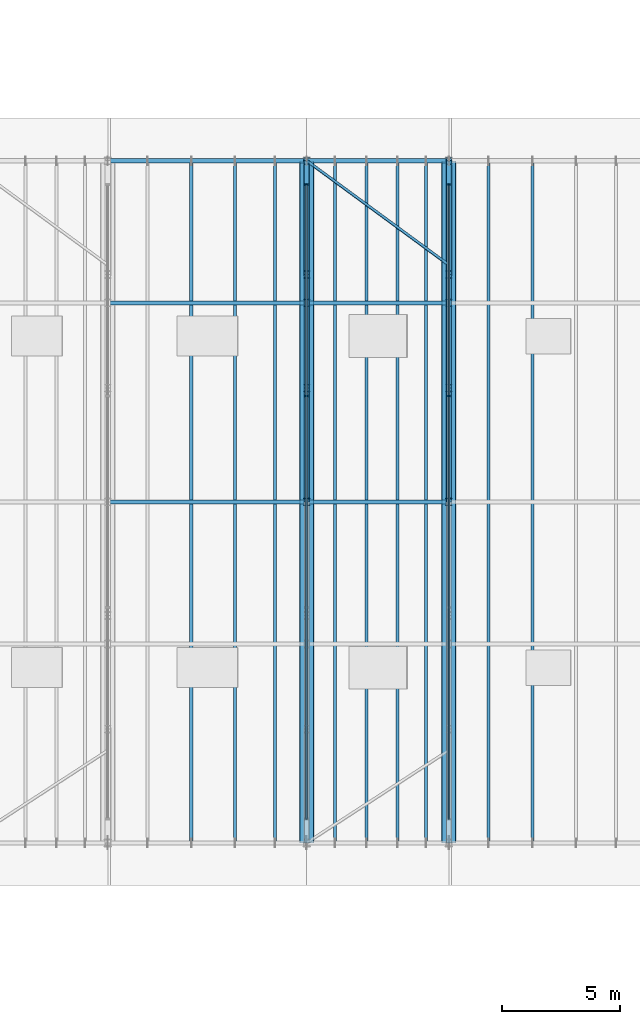
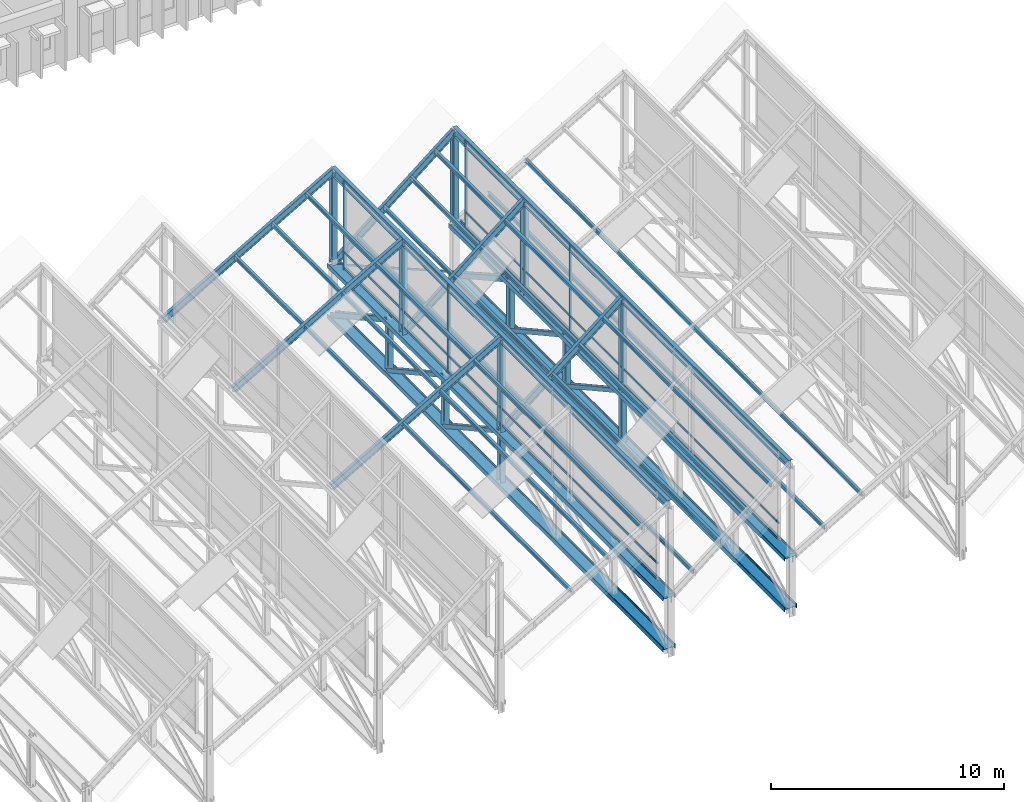
# One storey, part 25 of 101: 42 members, 8 beams, 2 elements without a shape of their own.
"""IFC4 building model written with IfcOpenShell, lengths in metres."""

from ifc_helpers import new_model, si_unit, direction, frame, origin, origin_2d, place, context, subcontext, project, spatial, rectangle, i_section, l_section, extrude, material, material_profile, profile_set, type_object, element, aggregate, save


model = new_model("IFC4")

# Units and contexts
model_context = context("Model", 3, precision=1e-05, world=origin(), true_north=direction((0.0, 1.0)))
body_context = subcontext(model_context, "Body", "Model", "MODEL_VIEW")
ifc_project = project(units=[si_unit("LENGTHUNIT", "METRE"), si_unit("AREAUNIT", "SQUARE_METRE"), si_unit("VOLUMEUNIT", "CUBIC_METRE"), si_unit("PLANEANGLEUNIT", "RADIAN"), si_unit("MASSUNIT", "GRAM", prefix="KILO"), si_unit("THERMODYNAMICTEMPERATUREUNIT", "KELVIN")], contexts=[model_context])

# Site, building, storey
site_placement = place(None, origin())
site = spatial("IfcSite", under=ifc_project, at=site_placement, CompositionType="ELEMENT")
building_placement = place(site_placement, origin())
building = spatial("IfcBuilding", under=site, at=building_placement, Name="Thalorik Housing Commons", CompositionType="ELEMENT")
storey_placement = place(building_placement, frame((0.0, 0.0, 8.10009765625)))
storey = spatial("IfcBuildingStorey", under=building, at=storey_placement, Name="L02", CompositionType="ELEMENT", Elevation=8.10009765625)

# Curtain wall, members
ifc_material_1 = material(Name="Anodised aluminium and solar-control low-E glass", Category="aluminium")
curtain_wall_type = type_object("IfcCurtainWallType", Name="ARC-CW-CLER", PredefinedType="USERDEFINED", material=ifc_material_1)
curtain_wall_1_placement = place(storey_placement, origin())
curtain_wall_1 = element("IfcCurtainWall", 1, at=curtain_wall_1_placement, inside=storey, type_object=curtain_wall_type, Name="L02 Curtain Wall CW-SAW-CLER-05", ObjectType="CURTAIN WALL", PredefinedType="USERDEFINED")
ifc_material_2 = material(Name="Anodised aluminium 6063-T6", Category="aluminium")
ifc_material_profile_1 = material_profile(ifc_material_2, rectangle(XDim=0.054931640625, YDim=0.139892578125, at=origin_2d()), Name="ALU MUL 55x140", Category="aluminium")
ifc_profile_set_1 = profile_set([ifc_material_profile_1], Name="Anodised aluminium 6063-T6")
member_type_1 = type_object("IfcMemberType", Name="ARC-CW-MUL-55x140", PredefinedType="MULLION", material=ifc_profile_set_1)
member_1_placement = place(storey_placement, frame((100.800048828125, 76.466796875, 3.2998046875), z_axis=(0.0, 0.0, 1.0), x_axis=(0.0, 1.0, 0.0)))
member_1 = element("IfcMember", 2, at=member_1_placement, type_object=member_type_1, Name="CW-SAW-CLER-05 Mullion 3", PredefinedType="MULLION", context=body_context, shape_type="SweptSolid", body=[
    extrude(rectangle(XDim=0.054931640625, YDim=0.139892578125, at=origin_2d()), origin(), (0.0, 0.0, 1.0), 4.650146484375),
])
member_2_placement = place(storey_placement, frame((100.800048828125, 85.39990234375, 3.2998046875), z_axis=(0.0, 0.0, 1.0), x_axis=(0.0, 1.0, 0.0)))
member_2 = element("IfcMember", 3, at=member_2_placement, type_object=member_type_1, Name="CW-SAW-CLER-05 Mullion 4", PredefinedType="MULLION", context=body_context, shape_type="SweptSolid", body=[
    extrude(rectangle(XDim=0.054931640625, YDim=0.139892578125, at=origin_2d()), origin(), (0.0, 0.0, 1.0), 4.650146484375),
])

curtain_wall_2_placement = place(storey_placement, origin())
curtain_wall_2 = element("IfcCurtainWall", 4, at=curtain_wall_2_placement, inside=storey, type_object=curtain_wall_type, Name="L02 Curtain Wall CW-SAW-CLER-04", ObjectType="CURTAIN WALL", PredefinedType="USERDEFINED")
ifc_material_profile_2 = material_profile(ifc_material_2, rectangle(XDim=0.06005859375, YDim=0.159912109375, at=origin_2d()), Name="ALU MUL 60x160", Category="aluminium")
ifc_profile_set_2 = profile_set([ifc_material_profile_2], Name="Anodised aluminium 6063-T6")
member_type_2 = type_object("IfcMemberType", Name="ARC-CW-MUL-60x160", PredefinedType="MULLION", material=ifc_profile_set_2)
member_3_placement = place(storey_placement, frame((94.800048828125, 76.466796875, 3.2998046875), z_axis=(0.0, 0.0, 1.0), x_axis=(0.0, 1.0, 0.0)))
member_3 = element("IfcMember", 5, at=member_3_placement, type_object=member_type_2, Name="CW-SAW-CLER-04 Mullion 3", PredefinedType="MULLION", context=body_context, shape_type="SweptSolid", body=[
    extrude(rectangle(XDim=0.06005859375, YDim=0.159912109375, at=origin_2d()), origin(), (0.0, 0.0, 1.0), 4.650146484375),
])
member_4_placement = place(storey_placement, frame((94.800048828125, 85.39990234375, 3.2998046875), z_axis=(0.0, 0.0, 1.0), x_axis=(0.0, 1.0, 0.0)))
member_4 = element("IfcMember", 6, at=member_4_placement, type_object=member_type_2, Name="CW-SAW-CLER-04 Mullion 4", PredefinedType="MULLION", context=body_context, shape_type="SweptSolid", body=[
    extrude(rectangle(XDim=0.06005859375, YDim=0.159912109375, at=origin_2d()), origin(), (0.0, 0.0, 1.0), 4.650146484375),
])

# Member
ifc_material_profile_3 = material_profile(ifc_material_2, rectangle(XDim=0.054931640625, YDim=0.10498046875, at=origin_2d()), Name="ALU TRN 55x105", Category="aluminium")
ifc_profile_set_3 = profile_set([ifc_material_profile_3], Name="Anodised aluminium 6063-T6")
member_type_3 = type_object("IfcMemberType", Name="ARC-CW-TRN-55x105", PredefinedType="USERDEFINED", material=ifc_profile_set_3)
member_5_placement = place(storey_placement, frame((100.800048828125, 58.60009765625, 3.35498046875), z_axis=(0.0, 1.0, 0.0), x_axis=(-1.0, 0.0, 0.0)))
member_5 = element("IfcMember", 7, at=member_5_placement, type_object=member_type_3, Name="CW-SAW-CLER-05 Transom 1", ObjectType="TRANSOM", PredefinedType="USERDEFINED", context=body_context, shape_type="SweptSolid", body=[
    extrude(rectangle(XDim=0.054931640625, YDim=0.10498046875, at=origin_2d()), origin(), (0.0, 0.0, 1.0), 26.7998046875),
])

member_6_placement = place(storey_placement, frame((100.800048828125, 58.60009765625, 4.179931640625), z_axis=(0.0, 1.0, 0.0), x_axis=(-1.0, 0.0, 0.0)))
member_6 = element("IfcMember", 8, at=member_6_placement, type_object=member_type_3, Name="CW-SAW-CLER-05 Transom 2", ObjectType="TRANSOM", PredefinedType="USERDEFINED", context=body_context, shape_type="SweptSolid", body=[
    extrude(rectangle(XDim=0.054931640625, YDim=0.10498046875, at=origin_2d()), origin(), (0.0, 0.0, 1.0), 26.7998046875),
])

member_7_placement = place(storey_placement, frame((100.800048828125, 58.60009765625, 7.89501953125), z_axis=(0.0, 1.0, 0.0), x_axis=(-1.0, 0.0, 0.0)))
member_7 = element("IfcMember", 9, at=member_7_placement, type_object=member_type_3, Name="CW-SAW-CLER-05 Transom 3", ObjectType="TRANSOM", PredefinedType="USERDEFINED", context=body_context, shape_type="SweptSolid", body=[
    extrude(rectangle(XDim=0.054931640625, YDim=0.10498046875, at=origin_2d()), origin(), (0.0, 0.0, 1.0), 26.7998046875),
])

aggregate(curtain_wall_1, [member_1, member_2, member_5, member_6, member_7])

ifc_material_profile_4 = material_profile(ifc_material_2, rectangle(XDim=0.06005859375, YDim=0.1201171875, at=origin_2d()), Name="ALU TRN 60x120", Category="aluminium")
ifc_profile_set_4 = profile_set([ifc_material_profile_4], Name="Anodised aluminium 6063-T6")
member_type_4 = type_object("IfcMemberType", Name="ARC-CW-TRN-60x120", PredefinedType="USERDEFINED", material=ifc_profile_set_4)
member_8_placement = place(storey_placement, frame((94.800048828125, 58.60009765625, 3.35498046875), z_axis=(0.0, 1.0, 0.0), x_axis=(-1.0, 0.0, 0.0)))
member_8 = element("IfcMember", 10, at=member_8_placement, type_object=member_type_4, Name="CW-SAW-CLER-04 Transom 1", ObjectType="TRANSOM", PredefinedType="USERDEFINED", context=body_context, shape_type="SweptSolid", body=[
    extrude(rectangle(XDim=0.06005859375, YDim=0.1201171875, at=origin_2d()), origin(), (0.0, 0.0, 1.0), 26.7998046875),
])

member_9_placement = place(storey_placement, frame((94.800048828125, 58.60009765625, 4.179931640625), z_axis=(0.0, 1.0, 0.0), x_axis=(-1.0, 0.0, 0.0)))
member_9 = element("IfcMember", 11, at=member_9_placement, type_object=member_type_4, Name="CW-SAW-CLER-04 Transom 2", ObjectType="TRANSOM", PredefinedType="USERDEFINED", context=body_context, shape_type="SweptSolid", body=[
    extrude(rectangle(XDim=0.06005859375, YDim=0.1201171875, at=origin_2d()), origin(), (0.0, 0.0, 1.0), 26.7998046875),
])

member_10_placement = place(storey_placement, frame((94.800048828125, 58.60009765625, 7.89501953125), z_axis=(0.0, 1.0, 0.0), x_axis=(-1.0, 0.0, 0.0)))
member_10 = element("IfcMember", 12, at=member_10_placement, type_object=member_type_4, Name="CW-SAW-CLER-04 Transom 3", ObjectType="TRANSOM", PredefinedType="USERDEFINED", context=body_context, shape_type="SweptSolid", body=[
    extrude(rectangle(XDim=0.06005859375, YDim=0.1201171875, at=origin_2d()), origin(), (0.0, 0.0, 1.0), 26.7998046875),
])

aggregate(curtain_wall_2, [member_3, member_4, member_8, member_9, member_10])

# Beams
ifc_material_3 = material(Name="Steel S355", Category="steel")
ifc_material_profile_5 = material_profile(ifc_material_3, i_section(OverallWidth=0.1708984375, OverallDepth=0.35498046875, WebThickness=0.007080078125, FlangeThickness=0.01171875, FilletRadius=0.010009765625, at=origin_2d()), Name="W360x51", Category="steel")
ifc_profile_set_5 = profile_set([ifc_material_profile_5], Name="Steel S355")
beam_type_1 = type_object("IfcBeamType", Name="STR-BM-W360x51", PredefinedType="BEAM", material=ifc_profile_set_5)
for number, where, z_axis, x_axis, name in (
    (13, (86.39990234375, 72.0, 3.0), (0.86602421266, 0.0, 0.500002063083), (0.0, 1.0, 0.0), "L02 Sawtooth Bay 4 Rafter 3"),
    (14, (86.39990234375, 80.39990234375, 3.0), (0.86602421266, 0.0, 0.500002063083), (0.0, 1.0, 0.0), "L02 Sawtooth Bay 4 Rafter 4"),
    (15, (86.39990234375, 86.39990234375, 3.0), (0.86602421266, 0.0, 0.500002063083), (0.0, 1.0, 0.0), "L02 Sawtooth Bay 4 Rafter 5"),
):
    element("IfcBeam", number, at=place(storey_placement, frame(where, z_axis=z_axis, x_axis=x_axis)), inside=storey, type_object=beam_type_1, Name=name, PredefinedType="BEAM", context=body_context, shape_type="SweptSolid", body=[
        extrude(i_section(OverallWidth=0.1708984375, OverallDepth=0.35498046875, WebThickness=0.007080078125, FlangeThickness=0.01171875, FilletRadius=0.010009765625, at=origin_2d()), origin(), (0.0, 0.0, 1.0), 9.69970703125),
    ])
for number, where, z_axis, x_axis, name in (
    (16, (94.800048828125, 72.0, 3.0), (0.777706721002, 0.0, 0.628627279163), (0.0, 1.0, 0.0), "L02 Sawtooth Bay 5 Rafter 3"),
    (17, (94.800048828125, 80.39990234375, 3.0), (0.777706721002, 0.0, 0.628627279163), (0.0, 1.0, 0.0), "L02 Sawtooth Bay 5 Rafter 4"),
    (18, (94.800048828125, 86.39990234375, 3.0), (0.777706721002, 0.0, 0.628627279163), (0.0, 1.0, 0.0), "L02 Sawtooth Bay 5 Rafter 5"),
):
    element("IfcBeam", number, at=place(storey_placement, frame(where, z_axis=z_axis, x_axis=x_axis)), inside=storey, type_object=beam_type_1, Name=name, PredefinedType="BEAM", context=body_context, shape_type="SweptSolid", body=[
        extrude(i_section(OverallWidth=0.1708984375, OverallDepth=0.35498046875, WebThickness=0.007080078125, FlangeThickness=0.01171875, FilletRadius=0.010009765625, at=origin_2d()), origin(), (0.0, 0.0, 1.0), 7.715087890625),
    ])
ifc_material_profile_6 = material_profile(ifc_material_3, i_section(OverallWidth=0.19189453125, OverallDepth=0.462890625, WebThickness=0.010498046875, FlangeThickness=0.017578125, FilletRadius=0.011962890625, at=origin_2d()), Name="W460x89", Category="steel")
ifc_profile_set_6 = profile_set([ifc_material_profile_6], Name="Steel S355")
beam_type_2 = type_object("IfcBeamType", Name="STR-BM-W460x89", PredefinedType="BEAM", material=ifc_profile_set_6)
for number, where, z_axis, x_axis, name in (
    (19, (94.800048828125, 57.60009765625, 7.849853515625), (0.0, 1.0, 0.0), (-1.0, 0.0, 0.0), "L02 Sawtooth Bay 4 Ridge Collector Beam"),
    (20, (100.800048828125, 57.60009765625, 7.849853515625), (0.0, 1.0, 0.0), (-1.0, 0.0, 0.0), "L02 Sawtooth Bay 5 Ridge Collector Beam"),
):
    element("IfcBeam", number, at=place(storey_placement, frame(where, z_axis=z_axis, x_axis=x_axis)), inside=storey, type_object=beam_type_2, Name=name, PredefinedType="BEAM", context=body_context, shape_type="SweptSolid", body=[
        extrude(i_section(OverallWidth=0.19189453125, OverallDepth=0.462890625, WebThickness=0.010498046875, FlangeThickness=0.017578125, FilletRadius=0.011962890625, at=origin_2d()), origin(), (0.0, 0.0, 1.0), 28.7998046875),
    ])

# Members
ifc_material_profile_7 = material_profile(ifc_material_3, i_section(OverallWidth=0.22998046875, OverallDepth=0.616943359375, WebThickness=0.01318359375, FlangeThickness=0.022216796875, FilletRadius=0.012939453125, at=origin_2d()), Name="W610x140", Category="steel")
ifc_profile_set_7 = profile_set([ifc_material_profile_7], Name="Steel S355")
member_type_5 = type_object("IfcMemberType", Name="STR-MEM-CHORD-BOT", PredefinedType="CHORD", material=ifc_profile_set_7)
for number, where, z_axis, x_axis, name in (
    (21, (94.800048828125, 57.60009765625, 0.349853515625), (0.0, 1.0, 0.0), (0.0, 0.0, 1.0), "L02 Sawtooth Truss 5 Bottom Chord"),
    (22, (100.800048828125, 57.60009765625, 0.349853515625), (0.0, 1.0, 0.0), (0.0, 0.0, 1.0), "L02 Sawtooth Truss 6 Bottom Chord"),
):
    element("IfcMember", number, at=place(storey_placement, frame(where, z_axis=z_axis, x_axis=x_axis)), inside=storey, type_object=member_type_5, Name=name, PredefinedType="CHORD", context=body_context, shape_type="SweptSolid", body=[
        extrude(i_section(OverallWidth=0.22998046875, OverallDepth=0.616943359375, WebThickness=0.01318359375, FlangeThickness=0.022216796875, FilletRadius=0.012939453125, at=origin_2d()), origin(), (0.0, 0.0, 1.0), 28.7998046875),
    ])
ifc_material_profile_8 = material_profile(ifc_material_3, i_section(OverallWidth=0.22802734375, OverallDepth=0.60791015625, WebThickness=0.01123046875, FlangeThickness=0.017333984375, FilletRadius=0.012939453125, at=origin_2d()), Name="W610x113", Category="steel")
ifc_profile_set_8 = profile_set([ifc_material_profile_8], Name="Steel S355")
member_type_6 = type_object("IfcMemberType", Name="STR-MEM-CHORD-TOP", PredefinedType="CHORD", material=ifc_profile_set_8)
for number, where, z_axis, x_axis, name in (
    (23, (94.800048828125, 57.60009765625, 3.0), (0.0, 1.0, 0.0), (0.0, 0.0, 1.0), "L02 Sawtooth Truss 5 Valley Chord"),
    (24, (100.800048828125, 57.60009765625, 3.0), (0.0, 1.0, 0.0), (0.0, 0.0, 1.0), "L02 Sawtooth Truss 6 Valley Chord"),
):
    element("IfcMember", number, at=place(storey_placement, frame(where, z_axis=z_axis, x_axis=x_axis)), inside=storey, type_object=member_type_6, Name=name, PredefinedType="CHORD", context=body_context, shape_type="SweptSolid", body=[
        extrude(i_section(OverallWidth=0.22802734375, OverallDepth=0.60791015625, WebThickness=0.01123046875, FlangeThickness=0.017333984375, FilletRadius=0.012939453125, at=origin_2d()), origin(), (0.0, 0.0, 1.0), 28.7998046875),
    ])
ifc_material_profile_9 = material_profile(ifc_material_3, i_section(OverallWidth=0.201904296875, OverallDepth=0.2470703125, WebThickness=0.00732421875, FlangeThickness=0.010986328125, FilletRadius=0.010009765625, at=origin_2d()), Name="W250x49", Category="steel")
ifc_profile_set_9 = profile_set([ifc_material_profile_9], Name="Steel S355")
member_type_7 = type_object("IfcMemberType", Name="STR-MEM-DIAG-250", PredefinedType="BRACE", material=ifc_profile_set_9)
for number, where, z_axis, x_axis, name in (
    (25, (94.800048828125, 72.0, 3.0), (0.0, 0.875435421067, -0.48333510481), (0.0, 0.48333510481, 0.875435421067), "L02 Sawtooth Truss 5 Web Diagonal 4"),
    (26, (94.800048828125, 76.800048828125, 3.0), (0.0, 0.875435421067, -0.48333510481), (0.0, 0.48333510481, 0.875435421067), "L02 Sawtooth Truss 5 Web Diagonal 5"),
    (27, (100.800048828125, 72.0, 3.0), (0.0, 0.875435421067, -0.48333510481), (0.0, 0.48333510481, 0.875435421067), "L02 Sawtooth Truss 6 Web Diagonal 4"),
    (28, (100.800048828125, 76.800048828125, 3.0), (0.0, 0.875435421067, -0.48333510481), (0.0, 0.48333510481, 0.875435421067), "L02 Sawtooth Truss 6 Web Diagonal 5"),
):
    element("IfcMember", number, at=place(storey_placement, frame(where, z_axis=z_axis, x_axis=x_axis)), inside=storey, type_object=member_type_7, Name=name, PredefinedType="BRACE", context=body_context, shape_type="SweptSolid", body=[
        extrude(i_section(OverallWidth=0.201904296875, OverallDepth=0.2470703125, WebThickness=0.00732421875, FlangeThickness=0.010986328125, FilletRadius=0.010009765625, at=origin_2d()), origin(), (0.0, 0.0, 1.0), 5.483154296875),
    ])
ifc_material_profile_10 = material_profile(ifc_material_3, i_section(OverallWidth=0.25390625, OverallDepth=0.2529296875, WebThickness=0.008544921875, FlangeThickness=0.01416015625, FilletRadius=0.010009765625, at=origin_2d()), Name="W250x73", Category="steel")
ifc_profile_set_10 = profile_set([ifc_material_profile_10], Name="Steel S355")
member_type_8 = type_object("IfcMemberType", Name="STR-MEM-DIAG-250H", PredefinedType="BRACE", material=ifc_profile_set_10)
for number, where, z_axis, x_axis, name in (
    (29, (94.800048828125, 81.60009765625, 3.0), (0.0, 0.875425018498, -0.48335394587), (0.0, 0.48335394587, 0.875425018498), "L02 Sawtooth Truss 5 Web Diagonal 6"),
    (30, (100.800048828125, 81.60009765625, 3.0), (0.0, 0.875425018498, -0.48335394587), (0.0, 0.48335394587, 0.875425018498), "L02 Sawtooth Truss 6 Web Diagonal 6"),
):
    element("IfcMember", number, at=place(storey_placement, frame(where, z_axis=z_axis, x_axis=x_axis)), inside=storey, type_object=member_type_8, Name=name, PredefinedType="BRACE", context=body_context, shape_type="SweptSolid", body=[
        extrude(i_section(OverallWidth=0.25390625, OverallDepth=0.2529296875, WebThickness=0.008544921875, FlangeThickness=0.01416015625, FilletRadius=0.010009765625, at=origin_2d()), origin(), (0.0, 0.0, 1.0), 5.48291015625),
    ])
ifc_material_profile_11 = material_profile(ifc_material_3, i_section(OverallWidth=0.25390625, OverallDepth=0.305908203125, WebThickness=0.0087890625, FlangeThickness=0.0146484375, FilletRadius=0.010009765625, at=origin_2d()), Name="W310x79", Category="steel")
ifc_profile_set_11 = profile_set([ifc_material_profile_11], Name="Steel S355")
member_type_9 = type_object("IfcMemberType", Name="STR-MEM-POST-310", PredefinedType="POST", material=ifc_profile_set_11)
for number, where, z_axis, x_axis, name in (
    (31, (94.800048828125, 72.0, 0.349853515625), (0.0, 0.0, 1.0), (1.0, 0.0, 0.0), "L02 Sawtooth Truss 5 Vertical 3"),
    (32, (94.800048828125, 76.800048828125, 0.349853515625), (0.0, 0.0, 1.0), (1.0, 0.0, 0.0), "L02 Sawtooth Truss 5 Vertical 4"),
    (33, (94.800048828125, 81.60009765625, 0.349853515625), (0.0, 0.0, 1.0), (1.0, 0.0, 0.0), "L02 Sawtooth Truss 5 Vertical 5"),
    (34, (100.800048828125, 72.0, 0.349853515625), (0.0, 0.0, 1.0), (1.0, 0.0, 0.0), "L02 Sawtooth Truss 6 Vertical 3"),
    (35, (100.800048828125, 76.800048828125, 0.349853515625), (0.0, 0.0, 1.0), (1.0, 0.0, 0.0), "L02 Sawtooth Truss 6 Vertical 4"),
    (36, (100.800048828125, 81.60009765625, 0.349853515625), (0.0, 0.0, 1.0), (1.0, 0.0, 0.0), "L02 Sawtooth Truss 6 Vertical 5"),
):
    element("IfcMember", number, at=place(storey_placement, frame(where, z_axis=z_axis, x_axis=x_axis)), inside=storey, type_object=member_type_9, Name=name, PredefinedType="POST", context=body_context, shape_type="SweptSolid", body=[
        extrude(i_section(OverallWidth=0.25390625, OverallDepth=0.305908203125, WebThickness=0.0087890625, FlangeThickness=0.0146484375, FilletRadius=0.010009765625, at=origin_2d()), origin(), (0.0, 0.0, 1.0), 2.650146484375),
    ])
for number, where, z_axis, x_axis, name in (
    (37, (94.800048828125, 72.0, 3.0), (0.0, 0.0, 1.0), (1.0, 0.0, 0.0), "L02 Sawtooth Bay 4 Clerestory Post 3"),
    (38, (94.800048828125, 80.39990234375, 3.0), (0.0, 0.0, 1.0), (1.0, 0.0, 0.0), "L02 Sawtooth Bay 4 Clerestory Post 4"),
    (39, (94.800048828125, 86.39990234375, 3.0), (0.0, 0.0, 1.0), (1.0, 0.0, 0.0), "L02 Sawtooth Bay 4 Clerestory Post 5"),
    (40, (100.800048828125, 72.0, 3.0), (0.0, 0.0, 1.0), (1.0, 0.0, 0.0), "L02 Sawtooth Bay 5 Clerestory Post 3"),
    (41, (100.800048828125, 80.39990234375, 3.0), (0.0, 0.0, 1.0), (1.0, 0.0, 0.0), "L02 Sawtooth Bay 5 Clerestory Post 4"),
    (42, (100.800048828125, 86.39990234375, 3.0), (0.0, 0.0, 1.0), (1.0, 0.0, 0.0), "L02 Sawtooth Bay 5 Clerestory Post 5"),
):
    element("IfcMember", number, at=place(storey_placement, frame(where, z_axis=z_axis, x_axis=x_axis)), inside=storey, type_object=member_type_9, Name=name, PredefinedType="POST", context=body_context, shape_type="SweptSolid", body=[
        extrude(i_section(OverallWidth=0.25390625, OverallDepth=0.305908203125, WebThickness=0.0087890625, FlangeThickness=0.0146484375, FilletRadius=0.010009765625, at=origin_2d()), origin(), (0.0, 0.0, 1.0), 4.849853515625),
    ])
ifc_material_profile_12 = material_profile(ifc_material_3, i_section(OverallWidth=0.133056640625, OverallDepth=0.20703125, WebThickness=0.005859375, FlangeThickness=0.00830078125, FilletRadius=0.008056640625, at=origin_2d()), Name="W200x27", Category="steel")
ifc_profile_set_12 = profile_set([ifc_material_profile_12], Name="Steel S355")
member_type_10 = type_object("IfcMemberType", Name="STR-MEM-PUR-200", PredefinedType="PURLIN", material=ifc_profile_set_12)
for number, where, z_axis, x_axis, name in (
    (43, (89.927978515625, 57.60009765625, 5.076904296875), (0.0, 1.0, 0.0), (-1.0, 0.0, 0.0), "L02 Sawtooth Bay 4 Roof Purlin 2"),
    (44, (91.77587890625, 57.60009765625, 6.143798828125), (0.0, 1.0, 0.0), (-1.0, 0.0, 0.0), "L02 Sawtooth Bay 4 Roof Purlin 3"),
    (45, (93.4560546875, 57.60009765625, 7.114013671875), (0.0, 1.0, 0.0), (-1.0, 0.0, 0.0), "L02 Sawtooth Bay 4 Roof Purlin 4"),
    (46, (96.0, 57.60009765625, 3.93408203125), (0.0, 1.0, 0.0), (-1.0, 0.0, 0.0), "L02 Sawtooth Bay 5 Roof Purlin 1"),
    (47, (97.320068359375, 57.60009765625, 5.05615234375), (0.0, 1.0, 0.0), (-1.0, 0.0, 0.0), "L02 Sawtooth Bay 5 Roof Purlin 2"),
    (48, (98.639892578125, 57.60009765625, 6.143798828125), (0.0, 1.0, 0.0), (-1.0, 0.0, 0.0), "L02 Sawtooth Bay 5 Roof Purlin 3"),
    (49, (99.840087890625, 57.60009765625, 7.114013671875), (0.0, 1.0, 0.0), (-1.0, 0.0, 0.0), "L02 Sawtooth Bay 5 Roof Purlin 4"),
    (50, (102.47998046875, 57.60009765625, 3.97607421875), (0.0, 1.0, 0.0), (-1.0, 0.0, 0.0), "L02 Sawtooth Bay 6 Roof Purlin 1"),
    (51, (104.327880859375, 57.60009765625, 5.076904296875), (0.0, 1.0, 0.0), (-1.0, 0.0, 0.0), "L02 Sawtooth Bay 6 Roof Purlin 2"),
):
    element("IfcMember", number, at=place(storey_placement, frame(where, z_axis=z_axis, x_axis=x_axis)), inside=storey, type_object=member_type_10, Name=name, PredefinedType="PURLIN", context=body_context, shape_type="SweptSolid", body=[
        extrude(i_section(OverallWidth=0.133056640625, OverallDepth=0.20703125, WebThickness=0.005859375, FlangeThickness=0.00830078125, FilletRadius=0.008056640625, at=origin_2d()), origin(), (0.0, 0.0, 1.0), 28.7998046875),
    ])
ifc_material_profile_13 = material_profile(ifc_material_3, l_section(Depth=0.1201171875, Width=0.1201171875, Thickness=0.011962890625, FilletRadius=0.009033203125, at=origin_2d()), Name="L120x120x12", Category="steel")
ifc_profile_set_13 = profile_set([ifc_material_profile_13], Name="Steel S355")
member_type_11 = type_object("IfcMemberType", Name="STR-MEM-TIE-L120", PredefinedType="BRACE", material=ifc_profile_set_13)
member_11_placement = place(storey_placement, frame((94.800048828125, 86.39990234375, 3.0), z_axis=(0.80641125493, -0.591355128432, 0.0), x_axis=(0.591355128432, 0.80641125493, 0.0)))
element("IfcMember", 52, at=member_11_placement, inside=storey, type_object=member_type_11, Name="L02 Sawtooth Bay 5 Wind Brace N", PredefinedType="BRACE", context=body_context, shape_type="SweptSolid", body=[
    extrude(l_section(Depth=0.1201171875, Width=0.1201171875, Thickness=0.011962890625, FilletRadius=0.009033203125, at=origin_2d()), origin(), (0.0, 0.0, 1.0), 7.4404296875),
])

save(model, "model.ifc")
